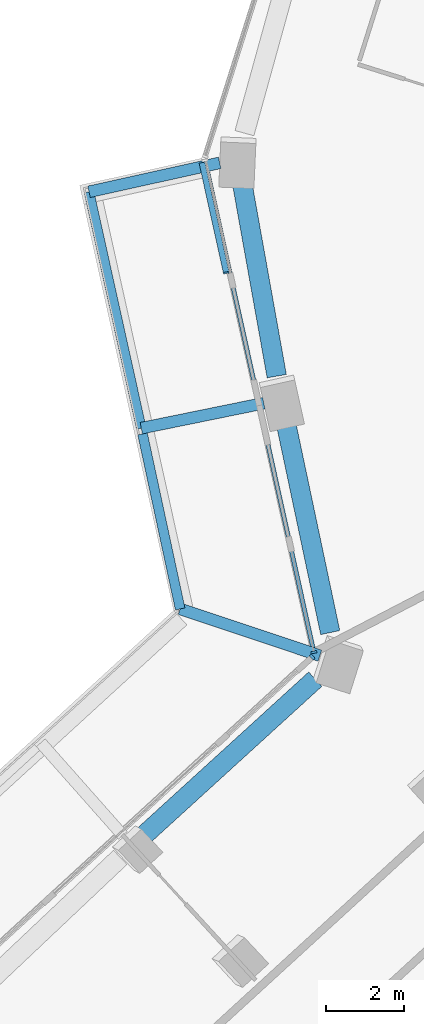
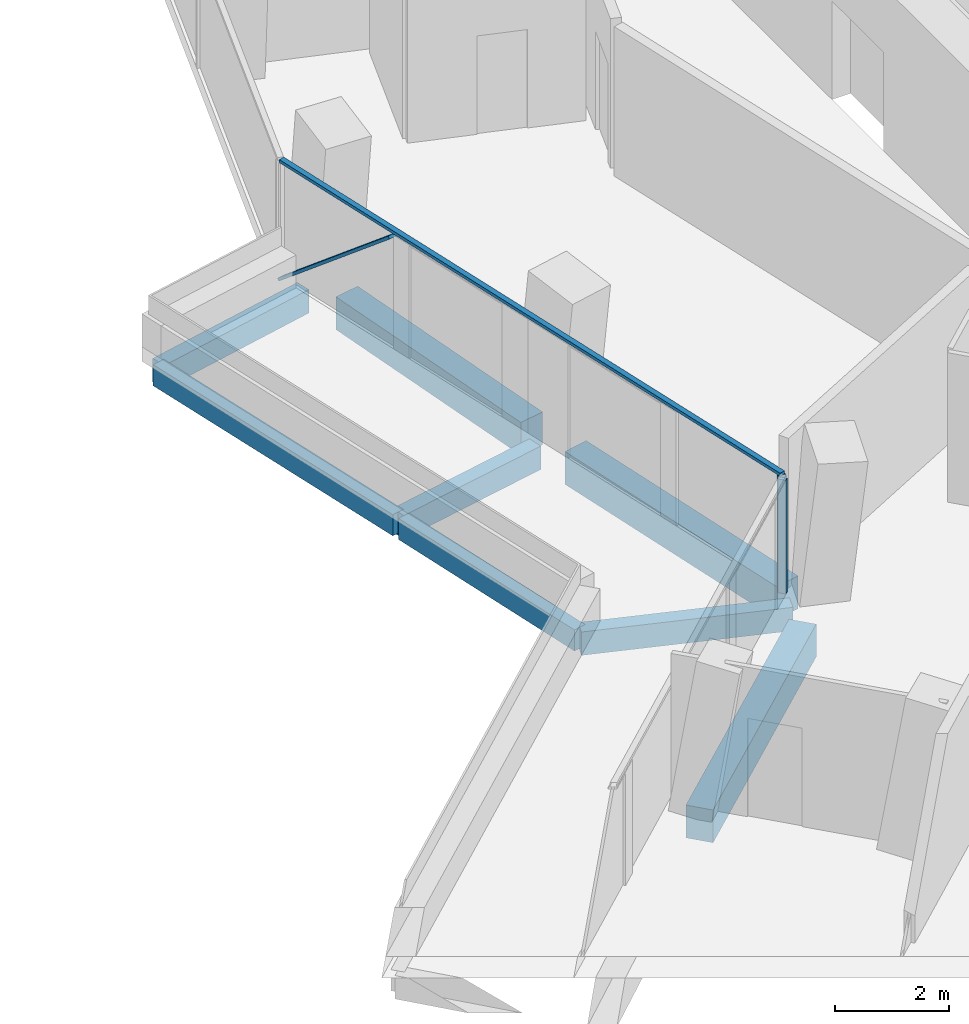
# One storey, part 4 of 24: 8 beams, 4 members, 2 elements without a shape of their own.
"""IFC4 building model written with IfcOpenShell, lengths in metres."""

import ifcopenshell
import ifcopenshell.guid

model = None  # the IFC model being written
_history = None  # IfcOwnerHistory: only IFC2X3 demands one
_inside = {}  # id of a spatial element -> (the spatial element, [elements in it])
_under = {}  # id of a project, library or spatial element -> (it, [spatial elements below it])
_declared = {}  # id of a project -> (the project, [libraries it declares])
_typed = {}  # id of a type object -> (the type object, [elements of that type])
_made_of = {}  # id of a material, layer set ... -> (it, [elements and type objects made of it])


def new_model(schema):
    """Start an empty IFC model of exactly this schema.

    Asked for "IFC4X3", IfcOpenShell would pick the latest addendum, in which some entities
    have other attributes; the version numbers below select the first issue.
    IFC2X3 requires an IfcOwnerHistory on every rooted entity: one is made here for all.
    """
    global model, _history
    if schema == "IFC4X3":
        model = ifcopenshell.file(schema_version=(4, 3, 0, 0))
    else:
        model = ifcopenshell.file(schema=schema)
    _inside.clear()
    _under.clear()
    _declared.clear()
    _typed.clear()
    _made_of.clear()
    _history = None
    if model.schema == "IFC2X3":
        org = make("IfcOrganization", Name="unknown")
        user = make(
            "IfcPersonAndOrganization",
            ThePerson=make("IfcPerson", FamilyName="unknown"),
            TheOrganization=org,
        )
        app = make(
            "IfcApplication",
            ApplicationDeveloper=org,
            Version="unknown",
            ApplicationFullName="unknown",
            ApplicationIdentifier="unknown",
        )
        _history = make(
            "IfcOwnerHistory",
            OwningUser=user,
            OwningApplication=app,
            ChangeAction="ADDED",
            CreationDate=0,
        )
    return model


def make(cls, **values):
    """One entity of the class cls with the attributes given. An attribute that is None is left unset."""
    return model.create_entity(
        cls, **{name: value for name, value in values.items() if value is not None}
    )


def rooted(cls, **values):
    """An entity with a GlobalId (a new one), such as an element, a storey or a relation."""
    return make(cls, GlobalId=ifcopenshell.guid.new(), OwnerHistory=_history, **values)


def si_unit(unit_type, name, prefix=None):
    """IfcSIUnit, for example si_unit("LENGTHUNIT", "METRE", prefix="MILLI")."""
    return make("IfcSIUnit", UnitType=unit_type, Prefix=prefix, Name=name)


def assignment(units):
    """IfcUnitAssignment: the units of a project."""
    return None if units is None else make("IfcUnitAssignment", Units=units)


def point(xyz):
    """IfcCartesianPoint."""
    return None if xyz is None else make("IfcCartesianPoint", Coordinates=xyz)


def direction(xyz):
    """IfcDirection."""
    return None if xyz is None else make("IfcDirection", DirectionRatios=xyz)


def frame(location, z_axis=None, x_axis=None):
    """IfcAxis2Placement3D, a coordinate frame: its origin and axes. An axis left out is left unset."""
    return make(
        "IfcAxis2Placement3D",
        Location=point(location),
        Axis=direction(z_axis),
        RefDirection=direction(x_axis),
    )


def frame_2d(location, x_axis=None):
    """IfcAxis2Placement2D, a coordinate frame in the plane: its origin and x axis."""
    return make(
        "IfcAxis2Placement2D", Location=point(location), RefDirection=direction(x_axis)
    )


def origin():
    """The frame at (0, 0, 0) with its axes left unset."""
    return frame((0.0, 0.0, 0.0))


def origin_2d():
    """The frame at (0, 0) in the plane with its x axis left unset."""
    return frame_2d((0.0, 0.0))


def place(relative_to, where):
    """IfcLocalPlacement: puts the frame where relative to a parent placement (None: the world)."""
    return make(
        "IfcLocalPlacement", PlacementRelTo=relative_to, RelativePlacement=where
    )


def context(
    kind, dimensions, precision=None, world=None, true_north=None, identifier=None
):
    """IfcGeometricRepresentationContext, for example the 3D "Model" context."""
    return make(
        "IfcGeometricRepresentationContext",
        ContextIdentifier=identifier,
        ContextType=kind,
        CoordinateSpaceDimension=dimensions,
        Precision=precision,
        WorldCoordinateSystem=world,
        TrueNorth=true_north,
    )


def subcontext(parent, identifier, kind, view, scale=None):
    """IfcGeometricRepresentationSubContext, for example "Body" below "Model"."""
    return make(
        "IfcGeometricRepresentationSubContext",
        ContextIdentifier=identifier,
        ContextType=kind,
        ParentContext=parent,
        TargetScale=scale,
        TargetView=view,
    )


def project(units=None, contexts=None):
    """IfcProject with its units and contexts."""
    return rooted(
        "IfcProject",
        Name="project",
        RepresentationContexts=contexts,
        UnitsInContext=assignment(units),
    )


def spatial(cls, under=None, at=None, **own):
    """A site, building, storey or space (cls), placed at a placement, below another one or the project."""
    s = rooted(cls, ObjectPlacement=at, **own)
    if under is not None:
        _under.setdefault(under.id(), (under, []))[1].append(s)
    return s


def profile(cls, at=None, kind="AREA", **sizes):
    """A parametric profile (cls). Its sizes go by their IFC names, for example OverallWidth=200.0."""
    return make(cls, ProfileType=kind, Position=at, **sizes)


def rectangle(**sizes):
    """IfcRectangleProfileDef."""
    return profile("IfcRectangleProfileDef", **sizes)


def extrude(swept, where, along, depth):
    """IfcExtrudedAreaSolid: the profile swept, set in the frame where, extruded along a direction by depth."""
    return make(
        "IfcExtrudedAreaSolid",
        SweptArea=swept,
        Position=where,
        ExtrudedDirection=direction(along),
        Depth=depth,
    )


def shape(context_of_items, identifier, shape_type, items):
    """IfcShapeRepresentation: the items that make up one representation, for example the "Body"."""
    return make(
        "IfcShapeRepresentation",
        ContextOfItems=context_of_items,
        RepresentationIdentifier=identifier,
        RepresentationType=shape_type,
        Items=items,
    )


def material(Name=None, Category=None):
    """IfcMaterial."""
    return make("IfcMaterial", Name=Name, Category=Category)


def layer(
    of_material, thickness, ventilated=None, Name=None, Category=None, Priority=None
):
    """IfcMaterialLayer: one layer of a wall or slab, of a material (None: an air gap)."""
    return make(
        "IfcMaterialLayer",
        Material=of_material,
        LayerThickness=thickness,
        IsVentilated=ventilated,
        Name=Name,
        Category=Category,
        Priority=Priority,
    )


def layer_set(layers, Name=None):
    """IfcMaterialLayerSet."""
    return make("IfcMaterialLayerSet", MaterialLayers=layers, LayerSetName=Name)


def material_profile(
    of_material, cross_section, Name=None, Category=None, Priority=None
):
    """IfcMaterialProfile: a cross section and its material."""
    return make(
        "IfcMaterialProfile",
        Name=Name,
        Material=of_material,
        Profile=cross_section,
        Priority=Priority,
        Category=Category,
    )


def profile_set(profiles, Name=None, composite=None):
    """IfcMaterialProfileSet."""
    return make(
        "IfcMaterialProfileSet",
        Name=Name,
        MaterialProfiles=profiles,
        CompositeProfile=composite,
    )


def made_of(thing, what):
    """Note that an element or type object is made of a material, layer set ...; save() writes the relation."""
    if what is not None:
        _made_of.setdefault(what.id(), (what, []))[1].append(thing)
    return thing


def type_object(cls, material=None, **own):
    """A type object (cls), such as IfcWallType, which elements share."""
    return made_of(rooted(cls, **own), material)


def element(
    cls,
    number,
    at=None,
    inside=None,
    cuts=None,
    type_object=None,
    material=None,
    context=None,
    identifier="Body",
    shape_type=None,
    held_by="IfcProductDefinitionShape",
    body=None,
    shapes=None,
    **own,
):
    """One element of the class cls, such as IfcWall. Its Tag is "e" and its number.

    at: its placement. inside: the storey or other place that contains it. cuts: it is an
    opening in that element (IfcRelVoidsElement). A single representation is given by context,
    identifier, shape_type and body (its items); several are given by shapes. held_by: the class
    of the entity that holds the representations. save() writes the other relations.
    """
    e = rooted(cls, Tag="e%d" % number, ObjectPlacement=at, **own)
    if body is not None:
        shapes = [shape(context, identifier, shape_type, body)]
    if shapes is not None:
        e.Representation = make(held_by, Representations=shapes)
    if inside is not None:
        _inside.setdefault(inside.id(), (inside, []))[1].append(e)
    if cuts is not None:
        rooted(
            "IfcRelVoidsElement", RelatingBuildingElement=cuts, RelatedOpeningElement=e
        )
    if type_object is not None:
        _typed.setdefault(type_object.id(), (type_object, []))[1].append(e)
    return made_of(e, material)


def aggregate(whole, parts):
    """IfcRelAggregates: a whole, such as a stair, and the parts it consists of."""
    return rooted("IfcRelAggregates", RelatingObject=whole, RelatedObjects=parts)


def save(model, path):
    """Write the relations noted so far, then the file.

    IfcRelAggregates (storeys below a building ...), IfcRelContainedInSpatialStructure (elements
    in a storey), IfcRelDefinesByType, IfcRelAssociatesMaterial and IfcRelDeclares: one each for
    every whole, place, type object, material and project.
    """
    for whole, parts in _under.values():
        aggregate(whole, parts)
    for where, things in _inside.values():
        rooted(
            "IfcRelContainedInSpatialStructure",
            RelatedElements=things,
            RelatingStructure=where,
        )
    for kind, things in _typed.values():
        rooted("IfcRelDefinesByType", RelatedObjects=things, RelatingType=kind)
    for what, things in _made_of.values():
        rooted("IfcRelAssociatesMaterial", RelatedObjects=things, RelatingMaterial=what)
    for by, libraries in _declared.values():
        rooted("IfcRelDeclares", RelatingContext=by, RelatedDefinitions=libraries)
    model.write(path)


model = new_model("IFC4")

# Units and contexts
model_context = context("Model", 3, precision=1e-05, world=origin(), true_north=direction((0.0, 1.0)))
body_context = subcontext(model_context, "Body", "Model", "MODEL_VIEW")
ifc_project = project(units=[si_unit("LENGTHUNIT", "METRE"), si_unit("AREAUNIT", "SQUARE_METRE"), si_unit("VOLUMEUNIT", "CUBIC_METRE"), si_unit("PLANEANGLEUNIT", "RADIAN"), si_unit("MASSUNIT", "GRAM", prefix="KILO")], contexts=[model_context])

# Site, building, storey
site_placement = place(None, origin())
site = spatial("IfcSite", under=ifc_project, at=site_placement, CompositionType="ELEMENT")
building_placement = place(site_placement, origin())
building = spatial("IfcBuilding", under=site, at=building_placement, Name="Verdalira Terraces Hotel", CompositionType="ELEMENT")
storey_placement = place(building_placement, frame((0.0, 0.0, 86.0)))
storey = spatial("IfcBuildingStorey", under=building, at=storey_placement, Name="L19", CompositionType="ELEMENT", Elevation=86.0)

# Beams
ifc_material_1 = material(Name="Concrete C40", Category="concrete")
ifc_material_profile_1 = material_profile(ifc_material_1, rectangle(XDim=0.300049, YDim=0.5, at=origin_2d()), Name="RC 300X500")
ifc_profile_set_1 = profile_set([ifc_material_profile_1], Name="Concrete C40")
beam_type_1 = type_object("IfcBeamType", Name="Balcony cantilever beam RC 300X500 C40", PredefinedType="BEAM", material=ifc_profile_set_1)
beam_1_placement = place(storey_placement, frame((-24.625, 0.987793, -0.560059), z_axis=(-0.976354309, -0.216176465, 0.0), x_axis=(0.216176465, -0.976354309, 0.0)))
element("IfcBeam", 1, at=beam_1_placement, inside=storey, type_object=beam_type_1, Name="Balcony cantilever beam R13-3", PredefinedType="BEAM", context=body_context, shape_type="SweptSolid", body=[
    extrude(rectangle(XDim=0.300049, YDim=0.5, at=origin_2d()), origin(), (0.0, 0.0, 1.0), 3.428711),
])
beam_2_placement = place(storey_placement, frame((-23.496582, -5.16748, -0.560059), z_axis=(-0.979843383, -0.199767229, 0.0), x_axis=(0.199767229, -0.979843383, 0.0)))
element("IfcBeam", 2, at=beam_2_placement, inside=storey, type_object=beam_type_1, Name="Balcony cantilever beam R13-4", PredefinedType="BEAM", context=body_context, shape_type="SweptSolid", body=[
    extrude(rectangle(XDim=0.300049, YDim=0.5, at=origin_2d()), origin(), (0.0, 0.0, 1.0), 3.200684),
])
beam_3_placement = place(storey_placement, frame((-22.058594, -11.63208, -0.560059), z_axis=(-0.9484177, 0.317023448, 0.0), x_axis=(-0.317023448, -0.9484177, 0.0)))
element("IfcBeam", 3, at=beam_3_placement, inside=storey, type_object=beam_type_1, Name="Balcony cantilever beam R13-5", PredefinedType="BEAM", context=body_context, shape_type="SweptSolid", body=[
    extrude(rectangle(XDim=0.300049, YDim=0.5, at=origin_2d()), origin(), (0.0, 0.0, 1.0), 3.773438),
])
ifc_material_2 = material(Name="Concrete C40", Category="concrete")
ifc_material_profile_2 = material_profile(ifc_material_2, rectangle(XDim=0.25, YDim=0.449951, at=origin_2d()), Name="RC 250X450")
ifc_profile_set_2 = profile_set([ifc_material_profile_2], Name="Concrete C40")
beam_type_2 = type_object("IfcBeamType", Name="Balcony edge beam RC 250X450 C40", PredefinedType="BEAM", material=ifc_profile_set_2)
beam_4_placement = place(storey_placement, frame((-27.972656, 0.246582, -0.534912), z_axis=(0.216104838, -0.976370165, 0.0), x_axis=(0.976370165, 0.216104838, 0.0)))
element("IfcBeam", 4, at=beam_4_placement, inside=storey, type_object=beam_type_2, Name="Balcony edge beam R13-2", PredefinedType="BEAM", context=body_context, shape_type="SweptSolid", body=[
    extrude(rectangle(XDim=0.25, YDim=0.449951, at=origin_2d()), origin(), (0.0, 0.0, 1.0), 6.199951),
])
beam_5_placement = place(storey_placement, frame((-26.601318, -5.953613, -0.534912), z_axis=(0.210238192, -0.977650194, 0.0), x_axis=(0.977650194, 0.210238192, 0.0)))
element("IfcBeam", 5, at=beam_5_placement, inside=storey, type_object=beam_type_2, Name="Balcony edge beam R13-3", PredefinedType="BEAM", context=body_context, shape_type="SweptSolid", body=[
    extrude(rectangle(XDim=0.25, YDim=0.449951, at=origin_2d()), origin(), (0.0, 0.0, 1.0), 4.584717),
])

# Curtain wall, members
ifc_material_3 = material(Name="Clear glass", Category="glass")
ifc_layer_1 = layer(ifc_material_3, 0.14990234375)
ifc_layer_set_1 = layer_set([ifc_layer_1], Name="CW1 curtain wall")
curtain_wall_type_1 = type_object("IfcCurtainWallType", Name="CW1 curtain wall", PredefinedType="NOTDEFINED", material=ifc_layer_set_1)
curtain_wall_1_placement = place(storey_placement, origin())
curtain_wall_1 = element("IfcCurtainWall", 6, at=curtain_wall_1_placement, inside=storey, type_object=curtain_wall_type_1, Name="CW1 curtain wall L19 edge 13", PredefinedType="NOTDEFINED")
ifc_material_4 = material(Name="Terracotta frame", Category="masonry")
ifc_material_profile_3 = material_profile(ifc_material_4, rectangle(XDim=0.060059, YDim=0.149902, at=origin_2d()), Name="MU 60x150")
ifc_profile_set_3 = profile_set([ifc_material_profile_3], Name="Terracotta frame")
member_type_1 = type_object("IfcMemberType", Name="CW1 mullion 60x150", PredefinedType="MULLION", material=ifc_profile_set_3)
member_1_placement = place(storey_placement, frame((-22.213867, -11.543213, 0.0), z_axis=(0.0, 0.0, 1.0), x_axis=(0.216098809, -0.976371499, 0.0)))
member_1 = element("IfcMember", 7, at=member_1_placement, type_object=member_type_1, Name="CW1 mullion", PredefinedType="MULLION", context=body_context, shape_type="SweptSolid", body=[
    extrude(rectangle(XDim=0.060059, YDim=0.149902, at=origin_2d()), origin(), (0.0, 0.0, 1.0), 2.425049),
])
ifc_material_5 = material(Name="Terracotta frame", Category="masonry")
ifc_material_profile_4 = material_profile(ifc_material_5, rectangle(XDim=0.110107, YDim=0.064941, at=origin_2d()), Name="TR 65x110")
ifc_profile_set_4 = profile_set([ifc_material_profile_4], Name="Terracotta frame")
member_type_2 = type_object("IfcMemberType", Name="CW1 transom 65x110", PredefinedType="USERDEFINED", material=ifc_profile_set_4)
member_2_placement = place(storey_placement, frame((-25.007812, 1.081299, 2.45752), z_axis=(0.216090646, -0.976373306, 0.0), x_axis=(0.976373306, 0.216090646, 0.0)))
member_2 = element("IfcMember", 8, at=member_2_placement, type_object=member_type_2, Name="CW1 transom", ObjectType="TRANSOM", PredefinedType="USERDEFINED", context=body_context, shape_type="SweptSolid", body=[
    extrude(rectangle(XDim=0.110107, YDim=0.064941, at=origin_2d()), origin(), (0.0, 0.0, 1.0), 12.959961),
])

# Curtain wall, member
ifc_material_6 = material(Name="Clear glass", Category="glass")
ifc_layer_2 = layer(ifc_material_6, 0.14990234375)
ifc_layer_set_2 = layer_set([ifc_layer_2], Name="CW2 curtain wall")
curtain_wall_type_2 = type_object("IfcCurtainWallType", Name="CW2 curtain wall", PredefinedType="NOTDEFINED", material=ifc_layer_set_2)
curtain_wall_2_placement = place(storey_placement, origin())
curtain_wall_2 = element("IfcCurtainWall", 9, at=curtain_wall_2_placement, inside=storey, type_object=curtain_wall_type_2, Name="CW2 curtain wall L19 edge 14", PredefinedType="NOTDEFINED")
ifc_material_7 = material(Name="Terracotta frame", Category="masonry")
ifc_material_profile_5 = material_profile(ifc_material_7, rectangle(XDim=0.070068, YDim=0.149902, at=origin_2d()), Name="MU 70x150")
ifc_profile_set_5 = profile_set([ifc_material_profile_5], Name="Terracotta frame")
member_type_3 = type_object("IfcMemberType", Name="CW2 mullion 70x150", PredefinedType="MULLION", material=ifc_profile_set_5)
member_3_placement = place(storey_placement, frame((-22.255615, -11.66748, 0.0), z_axis=(0.0, 0.0, 1.0), x_axis=(-0.737513117, -0.675332808, 0.0)))
member_3 = element("IfcMember", 10, at=member_3_placement, type_object=member_type_3, Name="CW2 mullion", PredefinedType="MULLION", context=body_context, shape_type="SweptSolid", body=[
    extrude(rectangle(XDim=0.070068, YDim=0.149902, at=origin_2d()), origin(), (0.0, 0.0, 1.0), 2.425049),
])
aggregate(curtain_wall_2, [member_3])

# Member
ifc_material_8 = material(Name="Terracotta frame", Category="masonry")
ifc_material_profile_6 = material_profile(ifc_material_8, rectangle(XDim=0.149902, YDim=0.060059, at=origin_2d()), Name="GB 60x150")
ifc_profile_set_6 = profile_set([ifc_material_profile_6], Name="Terracotta frame")
member_type_4 = type_object("IfcMemberType", Name="Diagonal glazing bar 60x150", PredefinedType="USERDEFINED", material=ifc_profile_set_6)
member_4_placement = place(storey_placement, frame((-25.075439, 0.974609, 0.024414), z_axis=(0.166366879, -0.751634673, 0.638253383), x_axis=(0.976369107, 0.216109617, 0.0)))
member_4 = element("IfcMember", 11, at=member_4_placement, type_object=member_type_4, Name="Diagonal glazing bar", ObjectType="GLAZING BAR", PredefinedType="USERDEFINED", context=body_context, shape_type="SweptSolid", body=[
    extrude(rectangle(XDim=0.149902, YDim=0.060059, at=origin_2d()), origin(), (0.0, 0.0, 1.0), 3.7229),
])

aggregate(curtain_wall_1, [member_1, member_2, member_4])

# Beams
ifc_material_9 = material(Name="Concrete C70", Category="concrete")
ifc_material_profile_7 = material_profile(ifc_material_9, rectangle(XDim=0.5, YDim=0.699951, at=origin_2d()), Name="RC 500X700")
ifc_profile_set_7 = profile_set([ifc_material_profile_7], Name="Concrete C70")
beam_type_3 = type_object("IfcBeamType", Name="Spandrel beam RC 500X700 C70", PredefinedType="SPANDREL", material=ifc_profile_set_7)
beam_6_placement = place(storey_placement, frame((-24.049316, 0.462646, -0.659912), z_axis=(0.176400464, -0.984318483, 0.0), x_axis=(0.984318483, 0.176400464, 0.0)))
element("IfcBeam", 12, at=beam_6_placement, inside=storey, type_object=beam_type_3, Name="Spandrel beam B08", PredefinedType="SPANDREL", context=body_context, shape_type="SweptSolid", body=[
    extrude(rectangle(XDim=0.5, YDim=0.699951, at=origin_2d()), origin(), (0.0, 0.0, 1.0), 5.015625),
])
beam_7_placement = place(storey_placement, frame((-22.941895, -5.616455, -0.659912), z_axis=(0.206824852, -0.978377984, 0.0), x_axis=(0.978377984, 0.206824852, 0.0)))
element("IfcBeam", 13, at=beam_7_placement, inside=storey, type_object=beam_type_3, Name="Spandrel beam B09", PredefinedType="SPANDREL", context=body_context, shape_type="SweptSolid", body=[
    extrude(rectangle(XDim=0.5, YDim=0.699951, at=origin_2d()), origin(), (0.0, 0.0, 1.0), 5.544434),
])
beam_8_placement = place(storey_placement, frame((-22.178711, -12.235107, -0.659912), z_axis=(-0.739030987, -0.673671433, 0.0), x_axis=(0.673671433, -0.739030987, 0.0)))
element("IfcBeam", 14, at=beam_8_placement, inside=storey, type_object=beam_type_3, Name="Spandrel beam B10", PredefinedType="SPANDREL", context=body_context, shape_type="SweptSolid", body=[
    extrude(rectangle(XDim=0.5, YDim=0.699951, at=origin_2d()), origin(), (0.0, 0.0, 1.0), 5.946777),
])

save(model, "model.ifc")
